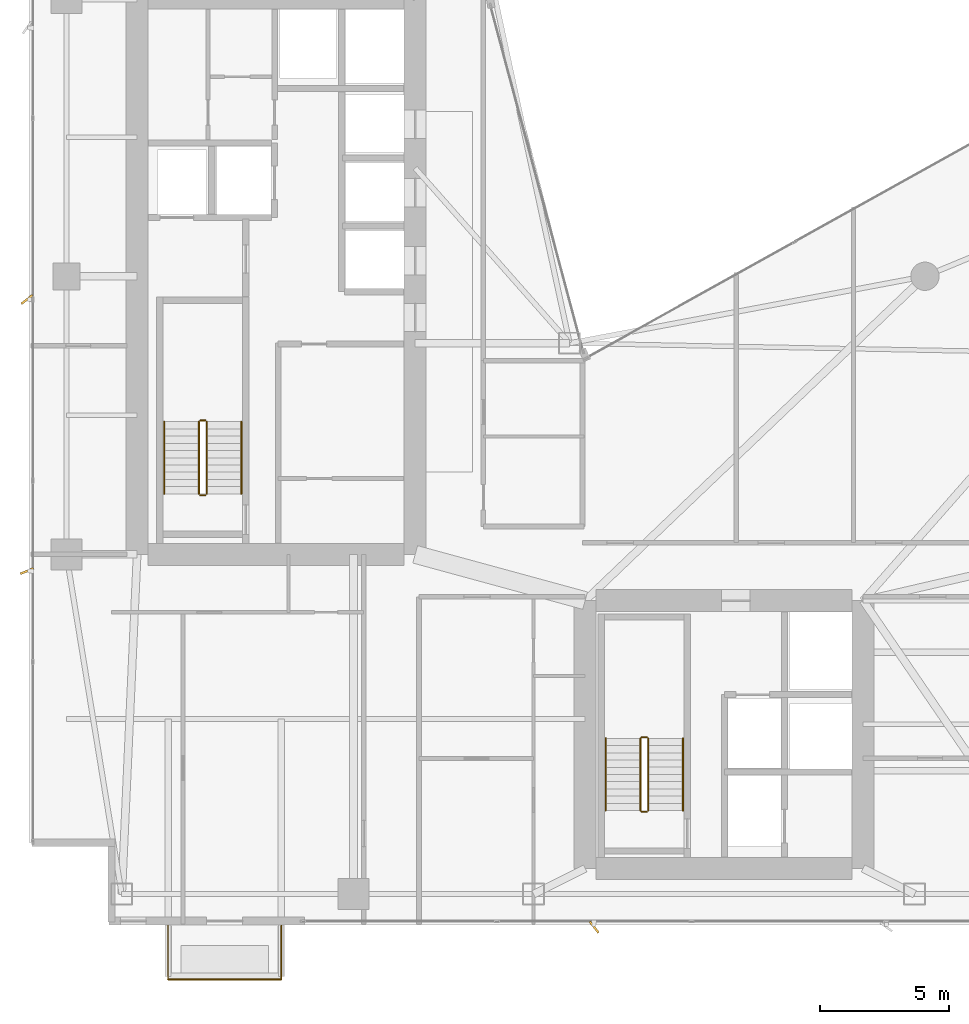
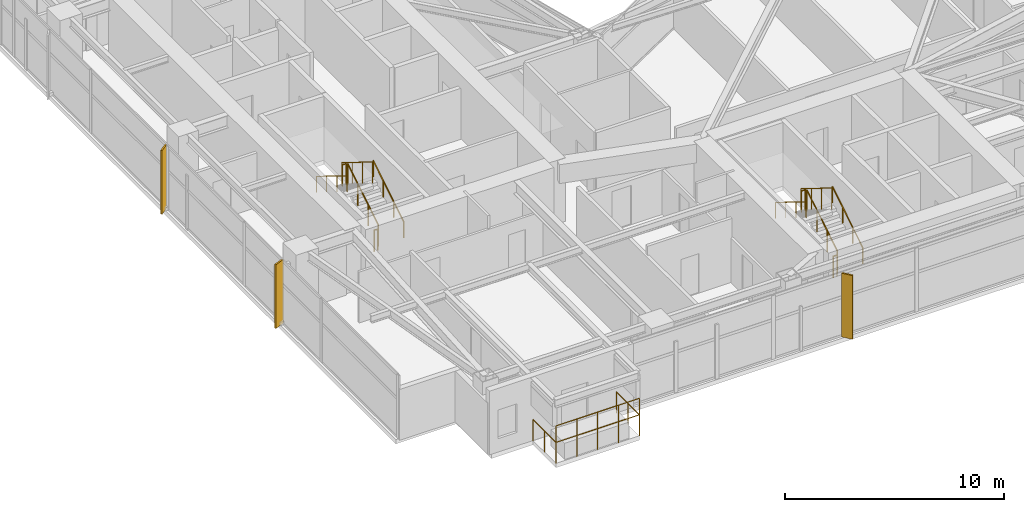
# One storey, part 27 of 28: 14 railings, 3 shading devices.
"""IFC4 building model written with IfcOpenShell, lengths in metres."""

from ifc_helpers import new_model, si_unit, direction, frame, origin, origin_2d, place, context, subcontext, project, spatial, rectangle, circle, extrude, material, type_object, element, save


model = new_model("IFC4")

# Units and contexts
model_context = context("Model", 3, precision=1e-05, world=origin(), true_north=direction((0.0, 1.0)))
body_context = subcontext(model_context, "Body", "Model", "MODEL_VIEW")
ifc_project = project(units=[si_unit("LENGTHUNIT", "METRE"), si_unit("AREAUNIT", "SQUARE_METRE"), si_unit("VOLUMEUNIT", "CUBIC_METRE"), si_unit("PLANEANGLEUNIT", "RADIAN"), si_unit("MASSUNIT", "GRAM", prefix="KILO")], contexts=[model_context])

# Site, building, storey
site_placement = place(None, origin())
site = spatial("IfcSite", under=ifc_project, at=site_placement, CompositionType="ELEMENT")
building_placement = place(site_placement, origin())
building = spatial("IfcBuilding", under=site, at=building_placement, Name="Calvorn Quay Hotel", CompositionType="ELEMENT")
storey_placement = place(building_placement, frame((0.0, 0.0, 116.39990234375)))
storey = spatial("IfcBuildingStorey", under=building, at=storey_placement, Name="L28", CompositionType="ELEMENT", Elevation=116.39990234375)

# Railings
ifc_material_1 = material(Name="Pale Anodised Aluminium and Laminated Glass", Category="aluminium")
railing_type_1 = type_object("IfcRailingType", Name="RLG-BALUSTRADE-1200", PredefinedType="BALUSTRADE", material=ifc_material_1)
railing_1_placement = place(storey_placement, frame((5.39990234375, 2.389892578125, 0.0)))
element("IfcRailing", 1, at=railing_1_placement, inside=storey, type_object=railing_type_1, Name="Tree Balcony Perimeter Balustrade L28-BALC-S", PredefinedType="BALUSTRADE", context=body_context, shape_type="SweptSolid", body=[
    extrude(circle(Radius=0.02392578125, at=origin_2d()), frame((0.0, 0.0, 1.17578125), z_axis=(0.0, -1.0, 0.0), x_axis=(1.0, 0.0, 0.0)), (0.0, 0.0, 1.0), 2.099853515625),
    extrude(circle(Radius=0.02392578125, at=origin_2d()), frame((0.0, -2.099853515625, 1.17578125), z_axis=(1.0, 0.0, 0.0), x_axis=(0.0, 1.0, 0.0)), (0.0, 0.0, 1.0), 4.400146484375),
    extrude(circle(Radius=0.02392578125, at=origin_2d()), frame((4.400146484375, -2.099853515625, 1.17578125), z_axis=(0.0, 1.0, 0.0), x_axis=(-1.0, 0.0, 0.0)), (0.0, 0.0, 1.0), 2.099853515625),
    extrude(circle(Radius=0.02099609375, at=origin_2d()), origin(), (0.0, 0.0, 1.0), 1.15185546875),
    extrude(circle(Radius=0.02099609375, at=origin_2d()), frame((0.0, -1.0498046875, 0.0)), (0.0, 0.0, 1.0), 1.15185546875),
    extrude(circle(Radius=0.02099609375, at=origin_2d()), frame((0.0, -2.099853515625, 0.0)), (0.0, 0.0, 1.0), 1.15185546875),
    extrude(circle(Radius=0.02099609375, at=origin_2d()), frame((1.10009765625, -2.099853515625, 0.0)), (0.0, 0.0, 1.0), 1.15185546875),
    extrude(circle(Radius=0.02099609375, at=origin_2d()), frame((2.2001953125, -2.099853515625, 0.0)), (0.0, 0.0, 1.0), 1.15185546875),
    extrude(circle(Radius=0.02099609375, at=origin_2d()), frame((3.300048828125, -2.099853515625, 0.0)), (0.0, 0.0, 1.0), 1.15185546875),
    extrude(circle(Radius=0.02099609375, at=origin_2d()), frame((4.400146484375, -2.099853515625, 0.0)), (0.0, 0.0, 1.0), 1.15185546875),
    extrude(circle(Radius=0.02099609375, at=origin_2d()), frame((4.400146484375, -1.0498046875, 0.0)), (0.0, 0.0, 1.0), 1.15185546875),
    extrude(circle(Radius=0.02099609375, at=origin_2d()), frame((4.400146484375, 0.0, 0.0)), (0.0, 0.0, 1.0), 1.15185546875),
])
railing_2_placement = place(storey_placement, frame((5.39990234375, 0.2900390625, 0.900146484375)))
element("IfcRailing", 2, at=railing_2_placement, inside=storey, type_object=railing_type_1, Name="Planter Kerb High Safety Screen L28-BALC-S", PredefinedType="BALUSTRADE", context=body_context, shape_type="SweptSolid", body=[
    extrude(circle(Radius=0.02392578125, at=origin_2d()), frame((0.0, 0.0, 1.19580078125), z_axis=(1.0, 0.0, 0.0), x_axis=(0.0, 1.0, 0.0)), (0.0, 0.0, 1.0), 4.400146484375),
    extrude(circle(Radius=0.02099609375, at=origin_2d()), origin(), (0.0, 0.0, 1.0), 1.171875),
    extrude(circle(Radius=0.02099609375, at=origin_2d()), frame((1.10009765625, 0.0, 0.0)), (0.0, 0.0, 1.0), 1.171875),
    extrude(circle(Radius=0.02099609375, at=origin_2d()), frame((2.2001953125, 0.0, 0.0)), (0.0, 0.0, 1.0), 1.171875),
    extrude(circle(Radius=0.02099609375, at=origin_2d()), frame((3.300048828125, 0.0, 0.0)), (0.0, 0.0, 1.0), 1.171875),
    extrude(circle(Radius=0.02099609375, at=origin_2d()), frame((4.400146484375, 0.0, 0.0)), (0.0, 0.0, 1.0), 1.171875),
])
ifc_material_2 = material(Name="Brushed Stainless Steel Handrail", Category="steel")
railing_type_2 = type_object("IfcRailingType", Name="RLG-HANDRAIL-900", PredefinedType="HANDRAIL", material=ifc_material_2)
railing_3_placement = place(storey_placement, frame((8.25, 19.14990234375, 0.1728515625)))
element("IfcRailing", 3, at=railing_3_placement, inside=storey, type_object=railing_type_2, Name="L28 ST-W stair handrail 1", PredefinedType="HANDRAIL", context=body_context, shape_type="SweptSolid", body=[
    extrude(circle(Radius=0.02392578125, at=origin_2d()), frame((0.0, 0.0, 0.8759765625), z_axis=(0.0, 0.851089632645, 0.525020415988), x_axis=(-1.0, 0.0, 0.0)), (0.0, 0.0, 1.0), 3.2900390625),
    extrude(circle(Radius=0.02099609375, at=origin_2d()), origin(), (0.0, 0.0, 1.0), 0.851806640625),
    extrude(circle(Radius=0.02099609375, at=origin_2d()), frame((0.0, 0.933349609375, 0.57568359375)), (0.0, 0.0, 1.0), 0.851806640625),
    extrude(circle(Radius=0.02099609375, at=origin_2d()), frame((0.0, 1.86669921875, 1.151611328125)), (0.0, 0.0, 1.0), 0.851806640625),
    extrude(circle(Radius=0.02099609375, at=origin_2d()), frame((0.0, 2.800048828125, 1.727294921875)), (0.0, 0.0, 1.0), 0.851806640625),
])
railing_4_placement = place(storey_placement, frame((5.25, 21.949951171875, 2.07275390625)))
element("IfcRailing", 4, at=railing_4_placement, inside=storey, type_object=railing_type_2, Name="L28 ST-W stair handrail 2", PredefinedType="HANDRAIL", context=body_context, shape_type="SweptSolid", body=[
    extrude(circle(Radius=0.02392578125, at=origin_2d()), frame((0.0, 0.0, 0.8759765625), z_axis=(0.0, -0.851089632645, 0.525020415988), x_axis=(1.0, 0.0, 0.0)), (0.0, 0.0, 1.0), 3.2900390625),
    extrude(circle(Radius=0.02099609375, at=origin_2d()), origin(), (0.0, 0.0, 1.0), 0.851806640625),
    extrude(circle(Radius=0.02099609375, at=origin_2d()), frame((0.0, -0.933349609375, 0.57568359375)), (0.0, 0.0, 1.0), 0.851806640625),
    extrude(circle(Radius=0.02099609375, at=origin_2d()), frame((0.0, -1.86669921875, 1.151611328125)), (0.0, 0.0, 1.0), 0.851806640625),
    extrude(circle(Radius=0.02099609375, at=origin_2d()), frame((0.0, -2.800048828125, 1.727294921875)), (0.0, 0.0, 1.0), 0.851806640625),
])
railing_5_placement = place(storey_placement, frame((25.39990234375, 6.85009765625, 0.1728515625)))
element("IfcRailing", 5, at=railing_5_placement, inside=storey, type_object=railing_type_2, Name="L28 ST-E stair handrail 1", PredefinedType="HANDRAIL", context=body_context, shape_type="SweptSolid", body=[
    extrude(circle(Radius=0.02392578125, at=origin_2d()), frame((0.0, 0.0, 0.8759765625), z_axis=(0.0, 0.851069175582, 0.525053576669), x_axis=(-1.0, 0.0, 0.0)), (0.0, 0.0, 1.0), 3.289794921875),
    extrude(circle(Radius=0.02099609375, at=origin_2d()), origin(), (0.0, 0.0, 1.0), 0.851806640625),
    extrude(circle(Radius=0.02099609375, at=origin_2d()), frame((0.0, 0.933349609375, 0.57568359375)), (0.0, 0.0, 1.0), 0.851806640625),
    extrude(circle(Radius=0.02099609375, at=origin_2d()), frame((0.0, 1.866455078125, 1.151611328125)), (0.0, 0.0, 1.0), 0.851806640625),
    extrude(circle(Radius=0.02099609375, at=origin_2d()), frame((0.0, 2.7998046875, 1.727294921875)), (0.0, 0.0, 1.0), 0.851806640625),
])
railing_6_placement = place(storey_placement, frame((22.39990234375, 9.64990234375, 2.07275390625)))
element("IfcRailing", 6, at=railing_6_placement, inside=storey, type_object=railing_type_2, Name="L28 ST-E stair handrail 2", PredefinedType="HANDRAIL", context=body_context, shape_type="SweptSolid", body=[
    extrude(circle(Radius=0.02392578125, at=origin_2d()), frame((0.0, 0.0, 0.8759765625), z_axis=(0.0, -0.851069175582, 0.525053576669), x_axis=(1.0, 0.0, 0.0)), (0.0, 0.0, 1.0), 3.289794921875),
    extrude(circle(Radius=0.02099609375, at=origin_2d()), origin(), (0.0, 0.0, 1.0), 0.851806640625),
    extrude(circle(Radius=0.02099609375, at=origin_2d()), frame((0.0, -0.933349609375, 0.57568359375)), (0.0, 0.0, 1.0), 0.851806640625),
    extrude(circle(Radius=0.02099609375, at=origin_2d()), frame((0.0, -1.866455078125, 1.151611328125)), (0.0, 0.0, 1.0), 0.851806640625),
    extrude(circle(Radius=0.02099609375, at=origin_2d()), frame((0.0, -2.7998046875, 1.727294921875)), (0.0, 0.0, 1.0), 0.851806640625),
])
ifc_material_3 = material(Name="Painted Galvanised Steel Balustrade", Category="steel")
railing_type_3 = type_object("IfcRailingType", Name="RLG-STAIR-GUARD-1120", PredefinedType="GUARDRAIL", material=ifc_material_3)
railing_7_placement = place(storey_placement, frame((6.89990234375, 19.14990234375, 0.1728515625)))
element("IfcRailing", 7, at=railing_7_placement, inside=storey, type_object=railing_type_3, Name="L28 ST-W stair guard 1", PredefinedType="GUARDRAIL", context=body_context, shape_type="SweptSolid", body=[
    extrude(circle(Radius=0.02392578125, at=origin_2d()), frame((0.0, 0.0, 1.17578125), z_axis=(0.0, 0.851089632645, 0.525020415988), x_axis=(-1.0, 0.0, 0.0)), (0.0, 0.0, 1.0), 3.2900390625),
    extrude(circle(Radius=0.02099609375, at=origin_2d()), origin(), (0.0, 0.0, 1.0), 1.15185546875),
    extrude(circle(Radius=0.02099609375, at=origin_2d()), frame((0.0, 0.933349609375, 0.57568359375)), (0.0, 0.0, 1.0), 1.15185546875),
    extrude(circle(Radius=0.02099609375, at=origin_2d()), frame((0.0, 1.86669921875, 1.151611328125)), (0.0, 0.0, 1.0), 1.15185546875),
    extrude(circle(Radius=0.02099609375, at=origin_2d()), frame((0.0, 2.800048828125, 1.727294921875)), (0.0, 0.0, 1.0), 1.15185546875),
])
railing_8_placement = place(storey_placement, frame((6.85009765625, 22.0, 1.900146484375)))
element("IfcRailing", 8, at=railing_8_placement, inside=storey, type_object=railing_type_3, Name="L28 ST-W stair guard 2", PredefinedType="GUARDRAIL", context=body_context, shape_type="SweptSolid", body=[
    extrude(circle(Radius=0.02392578125, at=origin_2d()), frame((0.0, 0.0, 1.17578125), z_axis=(-1.0, 0.0, 0.0), x_axis=(0.0, -1.0, 0.0)), (0.0, 0.0, 1.0), 0.2001953125),
    extrude(circle(Radius=0.02099609375, at=origin_2d()), origin(), (0.0, 0.0, 1.0), 1.15185546875),
    extrude(circle(Radius=0.02099609375, at=origin_2d()), frame((-0.2001953125, 0.0, 0.0)), (0.0, 0.0, 1.0), 1.15185546875),
])
railing_9_placement = place(storey_placement, frame((6.60009765625, 21.949951171875, 2.07275390625)))
element("IfcRailing", 9, at=railing_9_placement, inside=storey, type_object=railing_type_3, Name="L28 ST-W stair guard 3", PredefinedType="GUARDRAIL", context=body_context, shape_type="SweptSolid", body=[
    extrude(circle(Radius=0.02392578125, at=origin_2d()), frame((0.0, 0.0, 1.17578125), z_axis=(0.0, -0.851089632645, 0.525020415988), x_axis=(1.0, 0.0, 0.0)), (0.0, 0.0, 1.0), 3.2900390625),
    extrude(circle(Radius=0.02099609375, at=origin_2d()), origin(), (0.0, 0.0, 1.0), 1.15185546875),
    extrude(circle(Radius=0.02099609375, at=origin_2d()), frame((0.0, -0.933349609375, 0.57568359375)), (0.0, 0.0, 1.0), 1.15185546875),
    extrude(circle(Radius=0.02099609375, at=origin_2d()), frame((0.0, -1.86669921875, 1.151611328125)), (0.0, 0.0, 1.0), 1.15185546875),
    extrude(circle(Radius=0.02099609375, at=origin_2d()), frame((0.0, -2.800048828125, 1.727294921875)), (0.0, 0.0, 1.0), 1.15185546875),
])
railing_10_placement = place(storey_placement, frame((6.85009765625, 19.10009765625, 0.0)))
element("IfcRailing", 10, at=railing_10_placement, inside=storey, type_object=railing_type_3, Name="L28 ST-W stair guard 4", PredefinedType="GUARDRAIL", context=body_context, shape_type="SweptSolid", body=[
    extrude(circle(Radius=0.02392578125, at=origin_2d()), frame((0.0, 0.0, 1.17578125), z_axis=(-1.0, 0.0, 0.0), x_axis=(0.0, -1.0, 0.0)), (0.0, 0.0, 1.0), 0.2001953125),
    extrude(circle(Radius=0.02099609375, at=origin_2d()), origin(), (0.0, 0.0, 1.0), 1.15185546875),
    extrude(circle(Radius=0.02099609375, at=origin_2d()), frame((-0.2001953125, 0.0, 0.0)), (0.0, 0.0, 1.0), 1.15185546875),
])
railing_11_placement = place(storey_placement, frame((24.050048828125, 6.85009765625, 0.1728515625)))
element("IfcRailing", 11, at=railing_11_placement, inside=storey, type_object=railing_type_3, Name="L28 ST-E stair guard 1", PredefinedType="GUARDRAIL", context=body_context, shape_type="SweptSolid", body=[
    extrude(circle(Radius=0.02392578125, at=origin_2d()), frame((0.0, 0.0, 1.17578125), z_axis=(0.0, 0.851069175582, 0.525053576669), x_axis=(-1.0, 0.0, 0.0)), (0.0, 0.0, 1.0), 3.289794921875),
    extrude(circle(Radius=0.02099609375, at=origin_2d()), origin(), (0.0, 0.0, 1.0), 1.15185546875),
    extrude(circle(Radius=0.02099609375, at=origin_2d()), frame((0.0, 0.933349609375, 0.57568359375)), (0.0, 0.0, 1.0), 1.15185546875),
    extrude(circle(Radius=0.02099609375, at=origin_2d()), frame((0.0, 1.866455078125, 1.151611328125)), (0.0, 0.0, 1.0), 1.15185546875),
    extrude(circle(Radius=0.02099609375, at=origin_2d()), frame((0.0, 2.7998046875, 1.727294921875)), (0.0, 0.0, 1.0), 1.15185546875),
])
railing_12_placement = place(storey_placement, frame((24.0, 9.699951171875, 1.900146484375)))
element("IfcRailing", 12, at=railing_12_placement, inside=storey, type_object=railing_type_3, Name="L28 ST-E stair guard 2", PredefinedType="GUARDRAIL", context=body_context, shape_type="SweptSolid", body=[
    extrude(circle(Radius=0.02392578125, at=origin_2d()), frame((0.0, 0.0, 1.17578125), z_axis=(-1.0, 0.0, 0.0), x_axis=(0.0, -1.0, 0.0)), (0.0, 0.0, 1.0), 0.199951171875),
    extrude(circle(Radius=0.02099609375, at=origin_2d()), origin(), (0.0, 0.0, 1.0), 1.15185546875),
    extrude(circle(Radius=0.02099609375, at=origin_2d()), frame((-0.199951171875, 0.0, 0.0)), (0.0, 0.0, 1.0), 1.15185546875),
])
railing_13_placement = place(storey_placement, frame((23.75, 9.64990234375, 2.07275390625)))
element("IfcRailing", 13, at=railing_13_placement, inside=storey, type_object=railing_type_3, Name="L28 ST-E stair guard 3", PredefinedType="GUARDRAIL", context=body_context, shape_type="SweptSolid", body=[
    extrude(circle(Radius=0.02392578125, at=origin_2d()), frame((0.0, 0.0, 1.17578125), z_axis=(0.0, -0.851069175582, 0.525053576669), x_axis=(1.0, 0.0, 0.0)), (0.0, 0.0, 1.0), 3.289794921875),
    extrude(circle(Radius=0.02099609375, at=origin_2d()), origin(), (0.0, 0.0, 1.0), 1.15185546875),
    extrude(circle(Radius=0.02099609375, at=origin_2d()), frame((0.0, -0.933349609375, 0.57568359375)), (0.0, 0.0, 1.0), 1.15185546875),
    extrude(circle(Radius=0.02099609375, at=origin_2d()), frame((0.0, -1.866455078125, 1.151611328125)), (0.0, 0.0, 1.0), 1.15185546875),
    extrude(circle(Radius=0.02099609375, at=origin_2d()), frame((0.0, -2.7998046875, 1.727294921875)), (0.0, 0.0, 1.0), 1.15185546875),
])
railing_14_placement = place(storey_placement, frame((24.0, 6.800048828125, 0.0)))
element("IfcRailing", 14, at=railing_14_placement, inside=storey, type_object=railing_type_3, Name="L28 ST-E stair guard 4", PredefinedType="GUARDRAIL", context=body_context, shape_type="SweptSolid", body=[
    extrude(circle(Radius=0.02392578125, at=origin_2d()), frame((0.0, 0.0, 1.17578125), z_axis=(-1.0, 0.0, 0.0), x_axis=(0.0, -1.0, 0.0)), (0.0, 0.0, 1.0), 0.199951171875),
    extrude(circle(Radius=0.02099609375, at=origin_2d()), origin(), (0.0, 0.0, 1.0), 1.15185546875),
    extrude(circle(Radius=0.02099609375, at=origin_2d()), frame((-0.199951171875, 0.0, 0.0)), (0.0, 0.0, 1.0), 1.15185546875),
])

# Shading devices
ifc_material_4 = material(Name="Champagne Bronze Anodised Aluminium 6063-T6", Category="aluminium")
shading_device_type_1 = type_object("IfcShadingDeviceType", Name="SHD-FIN-A1", PredefinedType="USERDEFINED", material=ifc_material_4)
shading_device_placement = place(storey_placement, frame((-0.080078125, 16.14990234375, 0.0), z_axis=(0.0, 0.0, 1.0), x_axis=(0.927183854567, 0.374606593416, 0.0)))
element("IfcShadingDevice", 15, at=shading_device_placement, inside=storey, type_object=shading_device_type_1, Name="Diagonal Sun-Shading Fin L28-W01", ObjectType="FIN", PredefinedType="USERDEFINED", context=body_context, shape_type="SweptSolid", body=[
    extrude(rectangle(XDim=0.550048828125, YDim=0.080078125, at=origin_2d()), origin(), (0.0, 0.0, 1.0), 3.56005859375),
])
ifc_material_5 = material(Name="Champagne Bronze Anodised Aluminium 6063-T6", Category="aluminium")
shading_device_type_2 = type_object("IfcShadingDeviceType", Name="SHD-FIN-A2", PredefinedType="USERDEFINED", material=ifc_material_5)
for number, where, z_axis, x_axis, name in (
    (16, (-0.080078125, 26.699951171875, 0.0), (0.0, 0.0, 1.0), (0.788010753607, 0.615661475326, 0.0), "Diagonal Sun-Shading Fin L28-W02"),
    (17, (21.949951171875, 2.320068359375, 0.0), (0.0, 0.0, 1.0), (-0.615661475326, 0.788010753607, 0.0), "Diagonal Sun-Shading Fin L28-S01"),
):
    element("IfcShadingDevice", number, at=place(storey_placement, frame(where, z_axis=z_axis, x_axis=x_axis)), inside=storey, type_object=shading_device_type_2, Name=name, ObjectType="FIN", PredefinedType="USERDEFINED", context=body_context, shape_type="SweptSolid", body=[
        extrude(rectangle(XDim=0.550048828125, YDim=0.080078125, at=origin_2d()), origin(), (0.0, 0.0, 1.0), 3.56005859375),
    ])

save(model, "model.ifc")
